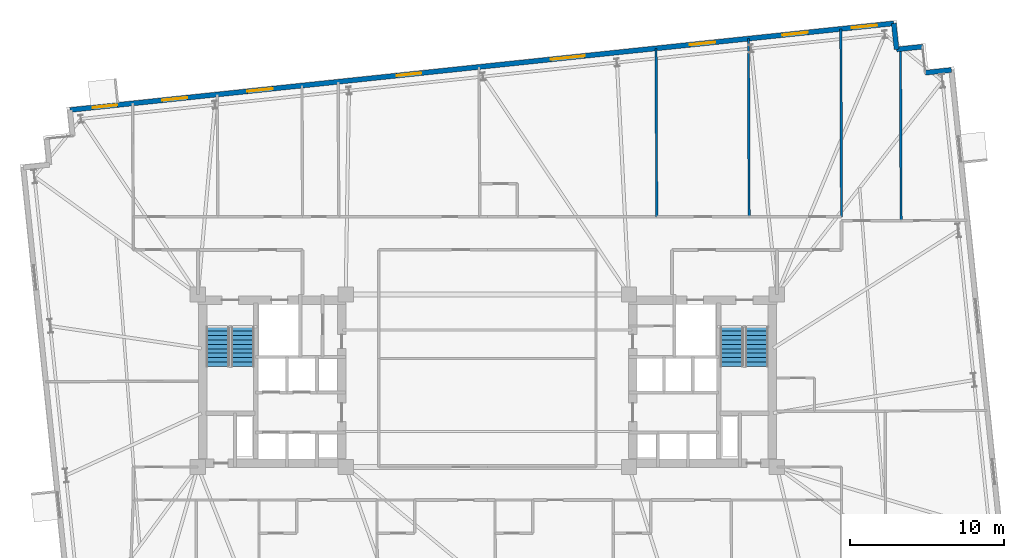
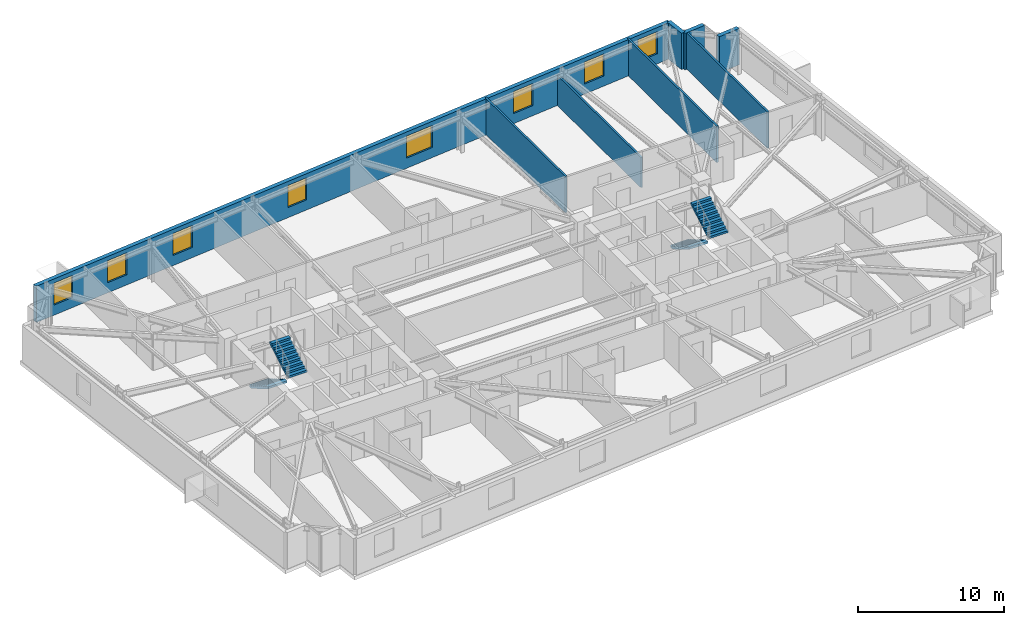
# One storey, part 16 of 18: 8 walls, 8 windows, 4 stair flights, 8 openings, 2 elements without a shape of their own.
"""IFC4 building model written with IfcOpenShell, lengths in metres."""

from ifc_helpers import new_model, si_unit, direction, frame, frame_2d, origin, place, context, subcontext, project, spatial, polyline, rectangle, outline, extrude, material, layer, layer_set, type_object, element, fill, aggregate, save


model = new_model("IFC4")

# Units and contexts
model_context = context("Model", 3, precision=1e-05, world=origin(), true_north=direction((0.0, 1.0)))
body_context = subcontext(model_context, "Body", "Model", "MODEL_VIEW")
ifc_project = project(units=[si_unit("LENGTHUNIT", "METRE"), si_unit("AREAUNIT", "SQUARE_METRE"), si_unit("VOLUMEUNIT", "CUBIC_METRE"), si_unit("PLANEANGLEUNIT", "RADIAN"), si_unit("MASSUNIT", "GRAM", prefix="KILO")], contexts=[model_context])

# Site, building, storey
site_placement = place(None, origin())
site = spatial("IfcSite", under=ifc_project, at=site_placement, CompositionType="ELEMENT")
building_placement = place(site_placement, origin())
building = spatial("IfcBuilding", under=site, at=building_placement, Name="Qobustan Lattice House", CompositionType="ELEMENT")
storey_placement = place(building_placement, frame((0.0, 0.0, 92.39990234375)))
storey = spatial("IfcBuildingStorey", under=building, at=storey_placement, Name="L25", CompositionType="ELEMENT", Elevation=92.39990234375)

# Wall, openings, windows
ifc_material_1 = material(Name="Precast concrete C40/50", Category="concrete")
ifc_layer_1 = layer(ifc_material_1, 0.320068359375)
ifc_layer_set_1 = layer_set([ifc_layer_1], Name="Precast concrete C40/50")
wall_type_1 = type_object("IfcWallType", Name="WAL-EXT-STONE-320", PredefinedType="SOLIDWALL", material=ifc_layer_set_1)
wall_1_placement = place(storey_placement, frame((-27.107421875, 17.585693359375, 0.0), z_axis=(0.0, 0.0, 1.0), x_axis=(0.994521628355, 0.104531003701, 0.0)))
wall_1 = element("IfcWall", 1, at=wall_1_placement, inside=storey, type_object=wall_type_1, Name="L25 exterior limestone-clad wall 10", PredefinedType="SOLIDWALL", context=body_context, shape_type="SweptSolid", body=[
    extrude(rectangle(XDim=53.800048828125, YDim=0.320068359375, at=frame_2d((26.89990234375, 0.0))), origin(), (0.0, 0.0, 1.0), 3.045166015625),
])
opening_1_placement = place(wall_1_placement, frame((1.481689453125, 0.0, 0.85009765625)))
opening_1 = element("IfcOpeningElement", 2, at=opening_1_placement, cuts=wall_1, Name="Opening WN-13", PredefinedType="OPENING", context=body_context, shape_type="SweptSolid", body=[
    extrude(rectangle(XDim=1.60009765625, YDim=1.85009765625, at=frame_2d((0.800048828125, 0.925048828125))), frame((0.0, 0.169921875, 0.0), z_axis=(0.0, -1.0, 0.0), x_axis=(1.0, 0.0, 0.0)), (0.0, 0.0, 1.0), 0.340087890625),
])
opening_2_placement = place(wall_1_placement, frame((6.02001953125, 0.0, 0.85009765625)))
opening_2 = element("IfcOpeningElement", 3, at=opening_2_placement, cuts=wall_1, Name="Opening WN-09", PredefinedType="OPENING", context=body_context, shape_type="SweptSolid", body=[
    extrude(rectangle(XDim=1.64990234375, YDim=1.85009765625, at=frame_2d((0.824951171875, 0.925048828125))), frame((0.0, 0.169921875, 0.0), z_axis=(0.0, -1.0, 0.0), x_axis=(1.0, 0.0, 0.0)), (0.0, 0.0, 1.0), 0.340087890625),
])
opening_3_placement = place(wall_1_placement, frame((11.584228515625, 0.0, 0.85009765625)))
opening_3 = element("IfcOpeningElement", 4, at=opening_3_placement, cuts=wall_1, Name="Opening WN-09", PredefinedType="OPENING", context=body_context, shape_type="SweptSolid", body=[
    extrude(rectangle(XDim=1.64990234375, YDim=1.85009765625, at=frame_2d((0.824951171875, 0.925048828125))), frame((0.0, 0.169921875, 0.0), z_axis=(0.0, -1.0, 0.0), x_axis=(1.0, 0.0, 0.0)), (0.0, 0.0, 1.0), 0.340087890625),
])
opening_4_placement = place(wall_1_placement, frame((21.33642578125, 0.0, 0.85009765625)))
opening_4 = element("IfcOpeningElement", 5, at=opening_4_placement, cuts=wall_1, Name="Opening WN-13", PredefinedType="OPENING", context=body_context, shape_type="SweptSolid", body=[
    extrude(rectangle(XDim=1.60009765625, YDim=1.85009765625, at=frame_2d((0.800048828125, 0.925048828125))), frame((0.0, 0.169921875, 0.0), z_axis=(0.0, -1.0, 0.0), x_axis=(1.0, 0.0, 0.0)), (0.0, 0.0, 1.0), 0.340087890625),
])
opening_5_placement = place(wall_1_placement, frame((31.404296875, 0.0, 0.85009765625)))
opening_5 = element("IfcOpeningElement", 6, at=opening_5_placement, cuts=wall_1, Name="Opening WN-03", PredefinedType="OPENING", context=body_context, shape_type="SweptSolid", body=[
    extrude(rectangle(XDim=2.199951171875, YDim=1.85009765625, at=frame_2d((1.10009765625, 0.925048828125))), frame((0.0, 0.169921875, 0.0), z_axis=(0.0, -1.0, 0.0), x_axis=(1.0, 0.0, 0.0)), (0.0, 0.0, 1.0), 0.340087890625),
])
opening_6_placement = place(wall_1_placement, frame((40.485595703125, 0.0, 0.85009765625)))
opening_6 = element("IfcOpeningElement", 7, at=opening_6_placement, cuts=wall_1, Name="Opening WN-09", PredefinedType="OPENING", context=body_context, shape_type="SweptSolid", body=[
    extrude(rectangle(XDim=1.64990234375, YDim=1.85009765625, at=frame_2d((0.824951171875, 0.925048828125))), frame((0.0, 0.169921875, 0.0), z_axis=(0.0, -1.0, 0.0), x_axis=(1.0, 0.0, 0.0)), (0.0, 0.0, 1.0), 0.340087890625),
])
opening_7_placement = place(wall_1_placement, frame((46.5302734375, 0.0, 0.85009765625)))
opening_7 = element("IfcOpeningElement", 8, at=opening_7_placement, cuts=wall_1, Name="Opening WN-09", PredefinedType="OPENING", context=body_context, shape_type="SweptSolid", body=[
    extrude(rectangle(XDim=1.64990234375, YDim=1.85009765625, at=frame_2d((0.824951171875, 0.925048828125))), frame((0.0, 0.169921875, 0.0), z_axis=(0.0, -1.0, 0.0), x_axis=(1.0, 0.0, 0.0)), (0.0, 0.0, 1.0), 0.340087890625),
])
opening_8_placement = place(wall_1_placement, frame((51.0537109375, 0.0, 0.85009765625)))
opening_8 = element("IfcOpeningElement", 9, at=opening_8_placement, cuts=wall_1, Name="Opening WN-09", PredefinedType="OPENING", context=body_context, shape_type="SweptSolid", body=[
    extrude(rectangle(XDim=1.64990234375, YDim=1.85009765625, at=frame_2d((0.824951171875, 0.925048828125))), frame((0.0, 0.169921875, 0.0), z_axis=(0.0, -1.0, 0.0), x_axis=(1.0, 0.0, 0.0)), (0.0, 0.0, 1.0), 0.340087890625),
])
ifc_material_2 = material(Name="Double-glazed low-E aluminium window", Category="aluminium")
window_type_1 = type_object("IfcWindowType", Name="WIN-BED-1600x1850", PartitioningType="SINGLE_PANEL", PredefinedType="WINDOW", material=ifc_material_2)
window_1_placement = place(opening_1_placement, origin())
window_1 = element("IfcWindow", 10, at=window_1_placement, inside=storey, type_object=window_type_1, Name="L25 Music and podcast studio window", OverallHeight=1.85009765625, OverallWidth=1.60009765625, PartitioningType="SINGLE_PANEL", PredefinedType="WINDOW", context=body_context, shape_type="SweptSolid", body=[
    extrude(rectangle(XDim=1.60009765625, YDim=1.85009765625, at=frame_2d((0.800048828125, 0.925048828125))), frame((0.0, 0.030029296875, 0.0), z_axis=(0.0, -1.0, 0.0), x_axis=(1.0, 0.0, 0.0)), (0.0, 0.0, 1.0), 0.06005859375),
])
fill(opening_1, window_1)
window_2_placement = place(opening_4_placement, origin())
window_2 = element("IfcWindow", 11, at=window_2_placement, inside=storey, type_object=window_type_1, Name="L25 Laundry utility room window", OverallHeight=1.85009765625, OverallWidth=1.60009765625, PartitioningType="SINGLE_PANEL", PredefinedType="WINDOW", context=body_context, shape_type="SweptSolid", body=[
    extrude(rectangle(XDim=1.60009765625, YDim=1.85009765625, at=frame_2d((0.800048828125, 0.925048828125))), frame((0.0, 0.030029296875, 0.0), z_axis=(0.0, -1.0, 0.0), x_axis=(1.0, 0.0, 0.0)), (0.0, 0.0, 1.0), 0.06005859375),
])
fill(opening_4, window_2)
ifc_material_3 = material(Name="Double-glazed low-E aluminium window", Category="aluminium")
window_type_2 = type_object("IfcWindowType", Name="WIN-STU-1650x1850", PartitioningType="SINGLE_PANEL", PredefinedType="WINDOW", material=ifc_material_3)
window_3_placement = place(opening_2_placement, origin())
window_3 = element("IfcWindow", 12, at=window_3_placement, inside=storey, type_object=window_type_2, Name="L25 Focus study room N1A window", OverallHeight=1.85009765625, OverallWidth=1.64990234375, PartitioningType="SINGLE_PANEL", PredefinedType="WINDOW", context=body_context, shape_type="SweptSolid", body=[
    extrude(rectangle(XDim=1.64990234375, YDim=1.85009765625, at=frame_2d((0.824951171875, 0.925048828125))), frame((0.0, 0.030029296875, 0.0), z_axis=(0.0, -1.0, 0.0), x_axis=(1.0, 0.0, 0.0)), (0.0, 0.0, 1.0), 0.06005859375),
])
fill(opening_2, window_3)
window_4_placement = place(opening_3_placement, origin())
window_4 = element("IfcWindow", 13, at=window_4_placement, inside=storey, type_object=window_type_2, Name="L25 Focus study room N1B window", OverallHeight=1.85009765625, OverallWidth=1.64990234375, PartitioningType="SINGLE_PANEL", PredefinedType="WINDOW", context=body_context, shape_type="SweptSolid", body=[
    extrude(rectangle(XDim=1.64990234375, YDim=1.85009765625, at=frame_2d((0.824951171875, 0.925048828125))), frame((0.0, 0.030029296875, 0.0), z_axis=(0.0, -1.0, 0.0), x_axis=(1.0, 0.0, 0.0)), (0.0, 0.0, 1.0), 0.06005859375),
])
fill(opening_3, window_4)
window_5_placement = place(opening_6_placement, origin())
window_5 = element("IfcWindow", 14, at=window_5_placement, inside=storey, type_object=window_type_2, Name="L25 Focus study room N4A window", OverallHeight=1.85009765625, OverallWidth=1.64990234375, PartitioningType="SINGLE_PANEL", PredefinedType="WINDOW", context=body_context, shape_type="SweptSolid", body=[
    extrude(rectangle(XDim=1.64990234375, YDim=1.85009765625, at=frame_2d((0.824951171875, 0.925048828125))), frame((0.0, 0.030029296875, 0.0), z_axis=(0.0, -1.0, 0.0), x_axis=(1.0, 0.0, 0.0)), (0.0, 0.0, 1.0), 0.06005859375),
])
fill(opening_6, window_5)
window_6_placement = place(opening_7_placement, origin())
window_6 = element("IfcWindow", 15, at=window_6_placement, inside=storey, type_object=window_type_2, Name="L25 Focus study room N4B window", OverallHeight=1.85009765625, OverallWidth=1.64990234375, PartitioningType="SINGLE_PANEL", PredefinedType="WINDOW", context=body_context, shape_type="SweptSolid", body=[
    extrude(rectangle(XDim=1.64990234375, YDim=1.85009765625, at=frame_2d((0.824951171875, 0.925048828125))), frame((0.0, 0.030029296875, 0.0), z_axis=(0.0, -1.0, 0.0), x_axis=(1.0, 0.0, 0.0)), (0.0, 0.0, 1.0), 0.06005859375),
])
fill(opening_7, window_6)
window_7_placement = place(opening_8_placement, origin())
window_7 = element("IfcWindow", 16, at=window_7_placement, inside=storey, type_object=window_type_2, Name="L25 Focus study room E3A window", OverallHeight=1.85009765625, OverallWidth=1.64990234375, PartitioningType="SINGLE_PANEL", PredefinedType="WINDOW", context=body_context, shape_type="SweptSolid", body=[
    extrude(rectangle(XDim=1.64990234375, YDim=1.85009765625, at=frame_2d((0.824951171875, 0.925048828125))), frame((0.0, 0.030029296875, 0.0), z_axis=(0.0, -1.0, 0.0), x_axis=(1.0, 0.0, 0.0)), (0.0, 0.0, 1.0), 0.06005859375),
])
fill(opening_8, window_7)
ifc_material_4 = material(Name="Double-glazed low-E aluminium window", Category="aluminium")
window_type_3 = type_object("IfcWindowType", Name="WIN-WIDE-2200x1850", PartitioningType="SINGLE_PANEL", PredefinedType="WINDOW", material=ifc_material_4)
window_8_placement = place(opening_5_placement, origin())
window_8 = element("IfcWindow", 17, at=window_8_placement, inside=storey, type_object=window_type_3, Name="L25 Kitchenette and studio apartment L25-N3 window", OverallHeight=1.85009765625, OverallWidth=2.199951171875, PartitioningType="SINGLE_PANEL", PredefinedType="WINDOW", context=body_context, shape_type="SweptSolid", body=[
    extrude(rectangle(XDim=2.199951171875, YDim=1.85009765625, at=frame_2d((1.10009765625, 0.925048828125))), frame((0.0, 0.030029296875, 0.0), z_axis=(0.0, -1.0, 0.0), x_axis=(1.0, 0.0, 0.0)), (0.0, 0.0, 1.0), 0.06005859375),
])
fill(opening_5, window_8)

# Walls
for number, where, z_axis, x_axis, name in (
    (18, (26.39794921875, 23.20947265625, 0.0), (0.0, 0.0, 1.0), (0.104550220202, -0.994519608382, 0.0), "L25 exterior limestone-clad wall 11"),
    (19, (26.57568359375, 21.518798828125, 0.0), (0.0, 0.0, 1.0), (0.994534530939, 0.104408173862, 0.0), "L25 exterior limestone-clad wall 12"),
    (20, (28.444091796875, 20.005615234375, 0.0), (0.0, 0.0, 1.0), (0.994519608382, 0.104550220202, 0.0), "L25 exterior limestone-clad wall 14"),
):
    element("IfcWall", number, at=place(storey_placement, frame(where, z_axis=z_axis, x_axis=x_axis)), inside=storey, type_object=wall_type_1, Name=name, PredefinedType="SOLIDWALL", context=body_context, shape_type="SweptSolid", body=[
        extrude(rectangle(XDim=1.699951171875, YDim=0.320068359375, at=frame_2d((0.85009765625, 0.0))), origin(), (0.0, 0.0, 1.0), 3.045166015625),
    ])
ifc_material_5 = material(Name="Acoustic twin-stud gypsum partition", Category="gypsum")
ifc_layer_2 = layer(ifc_material_5, 0.14990234375)
ifc_layer_set_2 = layer_set([ifc_layer_2], Name="Acoustic twin-stud gypsum partition")
wall_type_2 = type_object("IfcWallType", Name="WAL-PART-150", PredefinedType="PARTITIONING", material=ifc_layer_set_2)
wall_2_placement = place(storey_placement, frame((26.8271484375, 21.545166015625, 0.0), z_axis=(0.0, 0.0, 1.0), x_axis=(0.003938700302, -0.99999224329, 0.0)))
element("IfcWall", 21, at=wall_2_placement, inside=storey, type_object=wall_type_2, Name="L25 interior partition 87", PredefinedType="PARTITIONING", context=body_context, shape_type="SweptSolid", body=[
    extrude(rectangle(XDim=11.1572265625, YDim=0.14990234375, at=frame_2d((5.57861328125, 0.0))), origin(), (0.0, 0.0, 1.0), 3.045166015625),
])
wall_3_placement = place(storey_placement, frame((23.0, 10.64990234375, 0.0), z_axis=(0.0, 0.0, 1.0), x_axis=(-0.0036027147, 0.999993510202, 0.0)))
element("IfcWall", 22, at=wall_3_placement, inside=storey, type_object=wall_type_2, Name="L25 interior partition 88", PredefinedType="PARTITIONING", context=body_context, shape_type="SweptSolid", body=[
    extrude(rectangle(XDim=12.19775390625, YDim=0.14990234375, at=frame_2d((6.098876953125, 0.0))), origin(), (0.0, 0.0, 1.0), 3.045166015625),
])
wall_4_placement = place(storey_placement, frame((10.9560546875, 21.58642578125, 0.0), z_axis=(0.0, 0.0, 1.0), x_axis=(0.004018183473, -0.999991927068, 0.0)))
element("IfcWall", 23, at=wall_4_placement, inside=storey, type_object=wall_type_2, Name="L25 interior partition 96", PredefinedType="PARTITIONING", context=body_context, shape_type="SweptSolid", body=[
    extrude(rectangle(XDim=10.9365234375, YDim=0.14990234375, at=frame_2d((5.46826171875, 0.0))), origin(), (0.0, 0.0, 1.0), 3.045166015625),
])
wall_5_placement = place(storey_placement, frame((16.9560546875, 22.217041015625, 0.0), z_axis=(0.0, 0.0, 1.0), x_axis=(0.003799124105, -0.999992783302, 0.0)))
element("IfcWall", 24, at=wall_5_placement, inside=storey, type_object=wall_type_2, Name="L25 interior partition 97", PredefinedType="PARTITIONING", context=body_context, shape_type="SweptSolid", body=[
    extrude(rectangle(XDim=11.567138671875, YDim=0.14990234375, at=frame_2d((5.78369140625, 0.0))), origin(), (0.0, 0.0, 1.0), 2.530029296875),
])

# Stair, stair flights
ifc_material_6 = material(Name="Concrete C40/50", Category="concrete")
stair_type = type_object("IfcStairType", Name="STR-CORE-DOGLEG", PredefinedType="HALF_TURN_STAIR", material=ifc_material_6)
stair_1_placement = place(storey_placement, origin())
stair_1 = element("IfcStair", 25, at=stair_1_placement, inside=storey, type_object=stair_type, Name="L25 West protected exit stair ST-W1", PredefinedType="HALF_TURN_STAIR")
ifc_material_7 = material(Name="Concrete C40/50", Category="concrete")
stair_flight_type = type_object("IfcStairFlightType", Name="SFL-RC-1500", PredefinedType="STRAIGHT", material=ifc_material_7)
stair_flight_1_placement = place(storey_placement, frame((-17.5, 3.5, 0.0), z_axis=(0.0, 0.0, 1.0), x_axis=(0.0, -1.0, 0.0)))
stair_flight_1 = element("IfcStairFlight", 26, at=stair_flight_1_placement, type_object=stair_flight_type, Name="ST-W1 flight 1", NumberOfRisers=10, NumberOfTreads=9, PredefinedType="STRAIGHT", RiserHeight=0.1675, TreadLength=0.285, context=body_context, shape_type="SweptSolid", body=[
    extrude(outline(polyline([(0.0, 0.0), (0.0, 0.16748046875), (0.284912109375, 0.16748046875), (0.284912109375, 0.3349609375), (0.570068359375, 0.3349609375), (0.570068359375, 0.50244140625), (0.85498046875, 0.50244140625), (0.85498046875, 0.669921875), (1.139892578125, 0.669921875), (1.139892578125, 0.83740234375), (1.425048828125, 0.83740234375), (1.425048828125, 1.0048828125), (1.7099609375, 1.0048828125), (1.7099609375, 1.172607421875), (1.9951171875, 1.172607421875), (1.9951171875, 1.340087890625), (2.280029296875, 1.340087890625), (2.280029296875, 1.507568359375), (2.56494140625, 1.507568359375), (2.56494140625, 1.675048828125), (2.56494140625, 1.333740234375), (0.2958984375, 0.0), (0.0, 0.0)])), frame((0.0, 0.75, 0.0), z_axis=(0.0, -1.0, 0.0), x_axis=(1.0, 0.0, 0.0)), (0.0, 0.0, 1.0), 1.5),
])
stair_flight_2_placement = place(storey_placement, frame((-15.8798828125, 0.93505859375, 1.675048828125), z_axis=(0.0, 0.0, 1.0), x_axis=(0.0, 1.0, 0.0)))
stair_flight_2 = element("IfcStairFlight", 27, at=stair_flight_2_placement, type_object=stair_flight_type, Name="ST-W1 flight 2", NumberOfRisers=10, NumberOfTreads=9, PredefinedType="STRAIGHT", RiserHeight=0.1675, TreadLength=0.285, context=body_context, shape_type="SweptSolid", body=[
    extrude(outline(polyline([(0.0, 0.0), (0.0, 0.16748046875), (0.284912109375, 0.16748046875), (0.284912109375, 0.3349609375), (0.570068359375, 0.3349609375), (0.570068359375, 0.50244140625), (0.85498046875, 0.50244140625), (0.85498046875, 0.669921875), (1.139892578125, 0.669921875), (1.139892578125, 0.83740234375), (1.425048828125, 0.83740234375), (1.425048828125, 1.0048828125), (1.7099609375, 1.0048828125), (1.7099609375, 1.172607421875), (1.9951171875, 1.172607421875), (1.9951171875, 1.340087890625), (2.280029296875, 1.340087890625), (2.280029296875, 1.507568359375), (2.56494140625, 1.507568359375), (2.56494140625, 1.675048828125), (2.56494140625, 1.333740234375), (0.2958984375, 0.0), (0.0, 0.0)])), frame((0.0, 0.75, 0.0), z_axis=(0.0, -1.0, 0.0), x_axis=(1.0, 0.0, 0.0)), (0.0, 0.0, 1.0), 1.5),
])
aggregate(stair_1, [stair_flight_1, stair_flight_2])

stair_2_placement = place(storey_placement, origin())
stair_2 = element("IfcStair", 28, at=stair_2_placement, inside=storey, type_object=stair_type, Name="L25 East protected exit stair ST-E1", PredefinedType="HALF_TURN_STAIR")
stair_flight_3_placement = place(storey_placement, frame((15.8798828125, 3.5, 0.0), z_axis=(0.0, 0.0, 1.0), x_axis=(0.0, -1.0, 0.0)))
stair_flight_3 = element("IfcStairFlight", 29, at=stair_flight_3_placement, type_object=stair_flight_type, Name="ST-E1 flight 1", NumberOfRisers=10, NumberOfTreads=9, PredefinedType="STRAIGHT", RiserHeight=0.1675, TreadLength=0.285, context=body_context, shape_type="SweptSolid", body=[
    extrude(outline(polyline([(0.0, 0.0), (0.0, 0.16748046875), (0.284912109375, 0.16748046875), (0.284912109375, 0.3349609375), (0.570068359375, 0.3349609375), (0.570068359375, 0.50244140625), (0.85498046875, 0.50244140625), (0.85498046875, 0.669921875), (1.139892578125, 0.669921875), (1.139892578125, 0.83740234375), (1.425048828125, 0.83740234375), (1.425048828125, 1.0048828125), (1.7099609375, 1.0048828125), (1.7099609375, 1.172607421875), (1.9951171875, 1.172607421875), (1.9951171875, 1.340087890625), (2.280029296875, 1.340087890625), (2.280029296875, 1.507568359375), (2.56494140625, 1.507568359375), (2.56494140625, 1.675048828125), (2.56494140625, 1.333740234375), (0.2958984375, 0.0), (0.0, 0.0)])), frame((0.0, 0.75, 0.0), z_axis=(0.0, -1.0, 0.0), x_axis=(1.0, 0.0, 0.0)), (0.0, 0.0, 1.0), 1.5),
])
stair_flight_4_placement = place(storey_placement, frame((17.5, 0.93505859375, 1.675048828125), z_axis=(0.0, 0.0, 1.0), x_axis=(0.0, 1.0, 0.0)))
stair_flight_4 = element("IfcStairFlight", 30, at=stair_flight_4_placement, type_object=stair_flight_type, Name="ST-E1 flight 2", NumberOfRisers=10, NumberOfTreads=9, PredefinedType="STRAIGHT", RiserHeight=0.1675, TreadLength=0.285, context=body_context, shape_type="SweptSolid", body=[
    extrude(outline(polyline([(0.0, 0.0), (0.0, 0.16748046875), (0.284912109375, 0.16748046875), (0.284912109375, 0.3349609375), (0.570068359375, 0.3349609375), (0.570068359375, 0.50244140625), (0.85498046875, 0.50244140625), (0.85498046875, 0.669921875), (1.139892578125, 0.669921875), (1.139892578125, 0.83740234375), (1.425048828125, 0.83740234375), (1.425048828125, 1.0048828125), (1.7099609375, 1.0048828125), (1.7099609375, 1.172607421875), (1.9951171875, 1.172607421875), (1.9951171875, 1.340087890625), (2.280029296875, 1.340087890625), (2.280029296875, 1.507568359375), (2.56494140625, 1.507568359375), (2.56494140625, 1.675048828125), (2.56494140625, 1.333740234375), (0.2958984375, 0.0), (0.0, 0.0)])), frame((0.0, 0.75, 0.0), z_axis=(0.0, -1.0, 0.0), x_axis=(1.0, 0.0, 0.0)), (0.0, 0.0, 1.0), 1.5),
])
aggregate(stair_2, [stair_flight_3, stair_flight_4])

save(model, "model.ifc")
